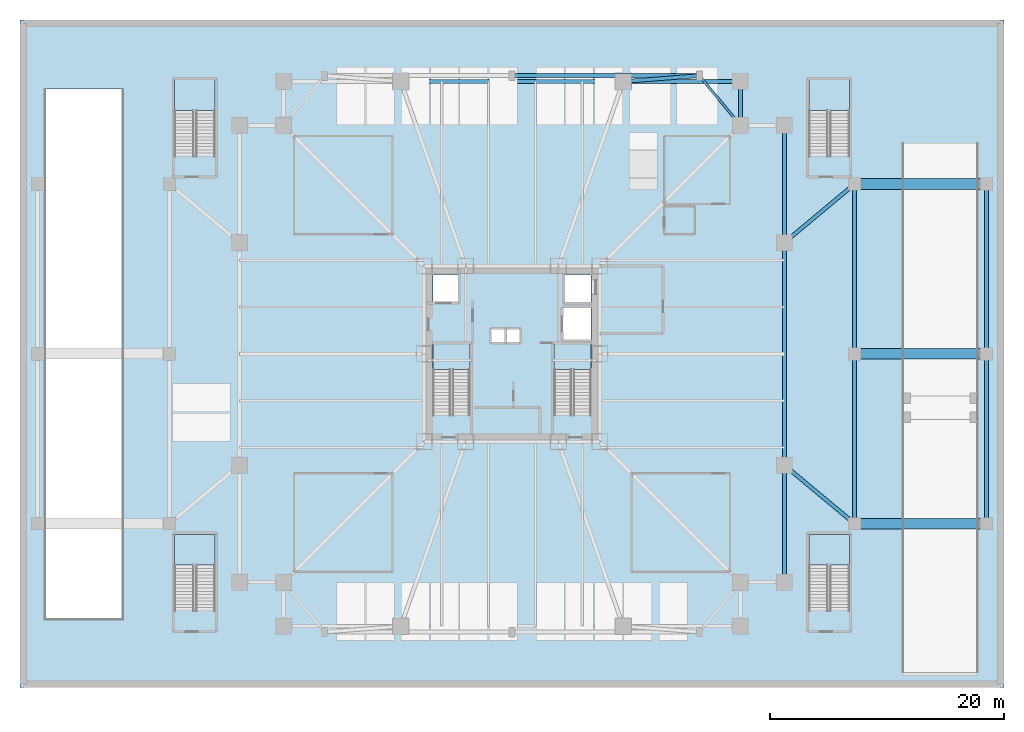
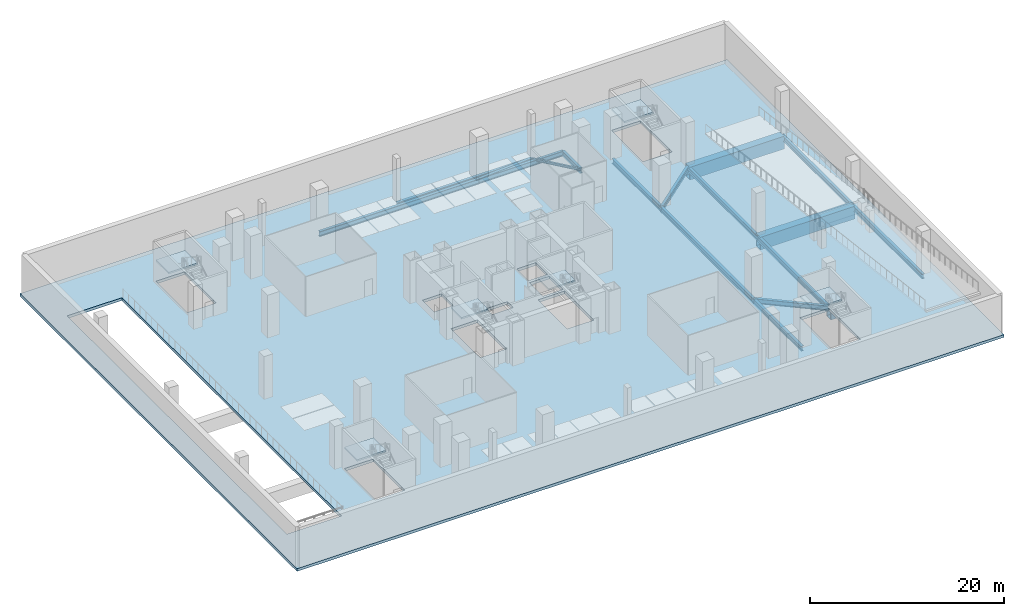
# One storey, part 2 of 14: 18 beams, 7 slabs, 6 elements without a shape of their own.
"""IFC4 building model written with IfcOpenShell, lengths in metres."""

from ifc_helpers import new_model, si_unit, direction, frame, origin, origin_2d, place, context, subcontext, project, spatial, polyline, hollow_rectangle, i_section, outline, extrude, material, layer, layer_set, material_profile, profile_set, type_object, element, aggregate, save


model = new_model("IFC4")

# Units and contexts
model_context = context("Model", 3, precision=1e-05, world=origin(), true_north=direction((0.0, 1.0)))
body_context = subcontext(model_context, "Body", "Model", "MODEL_VIEW")
ifc_project = project(units=[si_unit("LENGTHUNIT", "METRE"), si_unit("AREAUNIT", "SQUARE_METRE"), si_unit("VOLUMEUNIT", "CUBIC_METRE"), si_unit("PLANEANGLEUNIT", "RADIAN"), si_unit("MASSUNIT", "GRAM", prefix="KILO")], contexts=[model_context])

# Site, building, storey
site_placement = place(None, origin())
site = spatial("IfcSite", under=ifc_project, at=site_placement, CompositionType="ELEMENT")
building_placement = place(site_placement, origin())
building = spatial("IfcBuilding", under=site, at=building_placement, Name="Trevonay Congress Spire", CompositionType="ELEMENT")
storey_placement = place(building_placement, frame((0.0, 0.0, -5.39990234375)))
storey = spatial("IfcBuildingStorey", under=building, at=storey_placement, Name="B1", CompositionType="ELEMENT", Elevation=-5.39990234375)

# Beams
ifc_material_1 = material(Name="Steel ASTM A572 Grade 50", Category="steel")
ifc_material_profile_1 = material_profile(ifc_material_1, i_section(OverallWidth=0.324951171875, OverallDepth=0.615966796875, WebThickness=0.013916015625, FlangeThickness=0.021484375, FilletRadius=0.01806640625, at=origin_2d()), Name="W610x174")
ifc_profile_set_1 = profile_set([ifc_material_profile_1], Name="Steel ASTM A572 Grade 50")
beam_type_1 = type_object("IfcBeamType", Name="BM-GIRD-W610X174", PredefinedType="BEAM", material=ifc_profile_set_1)
beam_1_placement = place(storey_placement, frame((9.5, 23.25, -0.658203125), z_axis=(1.0, 0.0, 0.0), x_axis=(0.0, 1.0, 0.0)))
element("IfcBeam", 1, at=beam_1_placement, inside=storey, type_object=beam_type_1, Name="B1 structural beam BM-B1-MN3", PredefinedType="BEAM", context=body_context, shape_type="SweptSolid", body=[
    extrude(i_section(OverallWidth=0.324951171875, OverallDepth=0.615966796875, WebThickness=0.013916015625, FlangeThickness=0.021484375, FilletRadius=0.01806640625, at=origin_2d()), origin(), (0.0, 0.0, 1.0), 10.0),
])
beam_2_placement = place(storey_placement, frame((19.5, 23.25, -0.658203125), z_axis=(0.0, -1.0, 0.0), x_axis=(1.0, 0.0, 0.0)))
element("IfcBeam", 2, at=beam_2_placement, inside=storey, type_object=beam_type_1, Name="B1 structural beam BM-B1-CNE", PredefinedType="BEAM", context=body_context, shape_type="SweptSolid", body=[
    extrude(i_section(OverallWidth=0.324951171875, OverallDepth=0.615966796875, WebThickness=0.013916015625, FlangeThickness=0.021484375, FilletRadius=0.01806640625, at=origin_2d()), origin(), (0.0, 0.0, 1.0), 3.75),
])
for number, where, z_axis, x_axis, name in (
    (3, (23.25, -19.5, -0.658203125), (0.0, 1.0, 0.0), (-1.0, 0.0, 0.0), "B1 structural beam BM-B1-ME1"),
    (4, (23.25, 9.5, -0.658203125), (0.0, 1.0, 0.0), (-1.0, 0.0, 0.0), "B1 structural beam BM-B1-ME3"),
):
    element("IfcBeam", number, at=place(storey_placement, frame(where, z_axis=z_axis, x_axis=x_axis)), inside=storey, type_object=beam_type_1, Name=name, PredefinedType="BEAM", context=body_context, shape_type="SweptSolid", body=[
        extrude(i_section(OverallWidth=0.324951171875, OverallDepth=0.615966796875, WebThickness=0.013916015625, FlangeThickness=0.021484375, FilletRadius=0.01806640625, at=origin_2d()), origin(), (0.0, 0.0, 1.0), 10.0),
    ])
for number, where, z_axis, x_axis, name in (
    (5, (29.25, -14.5, -0.658203125), (0.0, 1.0, 0.0), (-1.0, 0.0, 0.0), "B1 structural beam BM-B1-POD-EL"),
    (6, (29.25, 0.0, -0.658203125), (0.0, 1.0, 0.0), (-1.0, 0.0, 0.0), "B1 structural beam BM-B1-POD-EH"),
):
    element("IfcBeam", number, at=place(storey_placement, frame(where, z_axis=z_axis, x_axis=x_axis)), inside=storey, type_object=beam_type_1, Name=name, PredefinedType="BEAM", context=body_context, shape_type="SweptSolid", body=[
        extrude(i_section(OverallWidth=0.324951171875, OverallDepth=0.615966796875, WebThickness=0.013916015625, FlangeThickness=0.021484375, FilletRadius=0.01806640625, at=origin_2d()), origin(), (0.0, 0.0, 1.0), 14.5),
    ])
for number, where, z_axis, x_axis, name in (
    (7, (23.25, -9.5, -0.658203125), (0.768221279597, -0.640184399664, 0.0), (0.640184399664, 0.768221279597, 0.0), "B1 structural beam BM-B1-POD-ET1"),
    (8, (23.25, 9.5, -0.658203125), (0.768221279597, 0.640184399664, 0.0), (-0.640184399664, 0.768221279597, 0.0), "B1 structural beam BM-B1-POD-ET2"),
):
    element("IfcBeam", number, at=place(storey_placement, frame(where, z_axis=z_axis, x_axis=x_axis)), inside=storey, type_object=beam_type_1, Name=name, PredefinedType="BEAM", context=body_context, shape_type="SweptSolid", body=[
        extrude(i_section(OverallWidth=0.324951171875, OverallDepth=0.615966796875, WebThickness=0.013916015625, FlangeThickness=0.021484375, FilletRadius=0.01806640625, at=origin_2d()), origin(), (0.0, 0.0, 1.0), 7.810302734375),
    ])
beam_3_placement = place(storey_placement, frame((0.0, 23.75, -0.658203125), z_axis=(1.0, 0.0, 0.0), x_axis=(0.0, 1.0, 0.0)))
element("IfcBeam", 9, at=beam_3_placement, inside=storey, type_object=beam_type_1, Name="B1 structural beam BM-B1-PIL-N2", PredefinedType="BEAM", context=body_context, shape_type="SweptSolid", body=[
    extrude(i_section(OverallWidth=0.324951171875, OverallDepth=0.615966796875, WebThickness=0.013916015625, FlangeThickness=0.021484375, FilletRadius=0.01806640625, at=origin_2d()), origin(), (0.0, 0.0, 1.0), 16.0),
])
beam_4_placement = place(storey_placement, frame((9.5, 23.25, -0.658203125), z_axis=(0.997054485502, 0.076696498885, 0.0), x_axis=(-0.076696498885, 0.997054485502, 0.0)))
element("IfcBeam", 10, at=beam_4_placement, inside=storey, type_object=beam_type_1, Name="B1 structural beam BM-B1-PIL-TN2", PredefinedType="BEAM", context=body_context, shape_type="SweptSolid", body=[
    extrude(i_section(OverallWidth=0.324951171875, OverallDepth=0.615966796875, WebThickness=0.013916015625, FlangeThickness=0.021484375, FilletRadius=0.01806640625, at=origin_2d()), origin(), (0.0, 0.0, 1.0), 6.519287109375),
])
for number, where, z_axis, x_axis, name in (
    (11, (40.5, -14.5, -0.658203125), (0.0, 1.0, 0.0), (-1.0, 0.0, 0.0), "B1 structural beam BM-B1-EXEL1"),
    (12, (40.5, 0.0, -0.658203125), (0.0, 1.0, 0.0), (-1.0, 0.0, 0.0), "B1 structural beam BM-B1-EXEL2"),
):
    element("IfcBeam", number, at=place(storey_placement, frame(where, z_axis=z_axis, x_axis=x_axis)), inside=storey, type_object=beam_type_1, Name=name, PredefinedType="BEAM", context=body_context, shape_type="SweptSolid", body=[
        extrude(i_section(OverallWidth=0.324951171875, OverallDepth=0.615966796875, WebThickness=0.013916015625, FlangeThickness=0.021484375, FilletRadius=0.01806640625, at=origin_2d()), origin(), (0.0, 0.0, 1.0), 14.5),
    ])
ifc_material_profile_2 = material_profile(ifc_material_1, i_section(OverallWidth=0.3291015625, OverallDepth=0.635009765625, WebThickness=0.017822265625, FlangeThickness=0.031005859375, FilletRadius=0.01806640625, at=origin_2d()), Name="W610x241")
ifc_profile_set_2 = profile_set([ifc_material_profile_2], Name="Steel ASTM A572 Grade 50")
beam_type_2 = type_object("IfcBeamType", Name="BM-GIRD-W610X241", PredefinedType="BEAM", material=ifc_profile_set_2)
for number, where, z_axis, x_axis, name in (
    (13, (-9.5, 23.25, -0.66748046875), (1.0, 0.0, 0.0), (0.0, 1.0, 0.0), "B1 structural beam BM-B1-MN2"),
    (14, (23.25, -9.5, -0.66748046875), (0.0, 1.0, 0.0), (-1.0, 0.0, 0.0), "B1 structural beam BM-B1-ME2"),
):
    element("IfcBeam", number, at=place(storey_placement, frame(where, z_axis=z_axis, x_axis=x_axis)), inside=storey, type_object=beam_type_2, Name=name, PredefinedType="BEAM", context=body_context, shape_type="SweptSolid", body=[
        extrude(i_section(OverallWidth=0.3291015625, OverallDepth=0.635009765625, WebThickness=0.017822265625, FlangeThickness=0.031005859375, FilletRadius=0.01806640625, at=origin_2d()), origin(), (0.0, 0.0, 1.0), 19.0),
    ])
ifc_material_profile_3 = material_profile(ifc_material_1, hollow_rectangle(XDim=0.89990234375, YDim=1.60009765625, WallThickness=0.06005859375, at=origin_2d()), Name="BOX 1600x900x60")
ifc_profile_set_3 = profile_set([ifc_material_profile_3], Name="Steel ASTM A572 Grade 50")
beam_type_3 = type_object("IfcBeamType", Name="BM-XFER-BOX1600", PredefinedType="BEAM", material=ifc_profile_set_3)
for number, where, z_axis, x_axis, name in (
    (15, (29.25, -14.5, -1.150146484375), (1.0, 0.0, 0.0), (0.0, 1.0, 0.0), "B1 structural beam BM-B1-EXE-S"),
    (16, (29.25, 0.0, -1.150146484375), (1.0, 0.0, 0.0), (0.0, 1.0, 0.0), "B1 structural beam BM-B1-EXE-C"),
    (17, (29.25, 14.5, -1.150146484375), (1.0, 0.0, 0.0), (0.0, 1.0, 0.0), "B1 structural beam BM-B1-EXE-N"),
):
    element("IfcBeam", number, at=place(storey_placement, frame(where, z_axis=z_axis, x_axis=x_axis)), inside=storey, type_object=beam_type_3, Name=name, PredefinedType="BEAM", context=body_context, shape_type="SweptSolid", body=[
        extrude(hollow_rectangle(XDim=0.89990234375, YDim=1.60009765625, WallThickness=0.06005859375, at=origin_2d()), origin(), (0.0, 0.0, 1.0), 11.25),
    ])
ifc_material_profile_4 = material_profile(ifc_material_1, i_section(OverallWidth=0.2041015625, OverallDepth=0.305908203125, WebThickness=0.008544921875, FlangeThickness=0.0146484375, FilletRadius=0.010986328125, at=origin_2d()), Name="W310x67")
ifc_profile_set_4 = profile_set([ifc_material_profile_4], Name="Steel ASTM A572 Grade 50")
beam_type_4 = type_object("IfcBeamType", Name="SPB-W310X67", PredefinedType="SPANDREL", material=ifc_profile_set_4)
beam_5_placement = place(storey_placement, frame((16.0, 23.75, -0.503173828125), z_axis=(0.635707252861, -0.771930235617, 0.0), x_axis=(0.771930235617, 0.635707252861, 0.0)))
element("IfcBeam", 18, at=beam_5_placement, inside=storey, type_object=beam_type_4, Name="B1 structural beam SPB-B1-NE", PredefinedType="SPANDREL", context=body_context, shape_type="SweptSolid", body=[
    extrude(i_section(OverallWidth=0.2041015625, OverallDepth=0.305908203125, WebThickness=0.008544921875, FlangeThickness=0.0146484375, FilletRadius=0.010986328125, at=origin_2d()), origin(), (0.0, 0.0, 1.0), 5.505615234375),
])

# Slab
ifc_material_2 = material(Name="Concrete C40/50", Category="concrete")
ifc_layer_1 = layer(ifc_material_2, 0.35009765625, Name="Concrete C40/50")
ifc_layer_set_1 = layer_set([ifc_layer_1], Name="Concrete C40/50")
slab_type_1 = type_object("IfcSlabType", Name="SLB-POD-350", PredefinedType="FLOOR", material=ifc_layer_set_1)
slab_1_placement = place(storey_placement, frame((0.0, 0.0, -0.35009765625)))
element("IfcSlab", 19, at=slab_1_placement, inside=storey, type_object=slab_type_1, Name="B1 structural floor slab", PredefinedType="FLOOR", context=body_context, shape_type="SweptSolid", body=[
    extrude(outline(polyline([(-42.0, -28.5), (42.0, -28.5), (42.0, 28.5), (-42.0, 28.5), (-42.0, -28.5)]), holes=[polyline([(-3.60009765625, -5.14990234375), (-3.60009765625, 0.85009765625), (-6.75, 0.85009765625), (-6.75, -5.14990234375), (-3.60009765625, -5.14990234375)]), polyline([(6.75, -5.14990234375), (6.75, 0.85009765625), (3.60009765625, 0.85009765625), (3.60009765625, -5.14990234375), (6.75, -5.14990234375)]), polyline([(-25.35009765625, -21.85009765625), (-25.35009765625, -15.39990234375), (-28.800048828125, -15.39990234375), (-28.800048828125, -21.85009765625), (-25.35009765625, -21.85009765625)]), polyline([(28.800048828125, -21.85009765625), (28.800048828125, -15.39990234375), (25.35009765625, -15.39990234375), (25.35009765625, -21.85009765625), (28.800048828125, -21.85009765625)]), polyline([(-25.35009765625, 16.949951171875), (-25.35009765625, 23.39990234375), (-28.800048828125, 23.39990234375), (-28.800048828125, 16.949951171875), (-25.35009765625, 16.949951171875)]), polyline([(28.800048828125, 16.949951171875), (28.800048828125, 23.39990234375), (25.35009765625, 23.39990234375), (25.35009765625, 16.949951171875), (28.800048828125, 16.949951171875)]), polyline([(-6.75, 4.35009765625), (-4.449951171875, 4.35009765625), (-4.449951171875, 6.75), (-6.75, 6.75), (-6.75, 4.35009765625)]), polyline([(4.449951171875, 4.35009765625), (6.75, 4.35009765625), (6.75, 6.75), (4.449951171875, 6.75), (4.449951171875, 4.35009765625)]), polyline([(4.35009765625, 1.199951171875), (6.75, 1.199951171875), (6.75, 3.949951171875), (4.35009765625, 3.949951171875), (4.35009765625, 1.199951171875)]), polyline([(-1.800048828125, 0.949951171875), (0.699951171875, 0.949951171875), (0.699951171875, 2.14990234375), (-1.800048828125, 2.14990234375), (-1.800048828125, 0.949951171875)]), polyline([(-39.800048828125, -22.60009765625), (-33.300048828125, -22.60009765625), (-33.300048828125, 22.60009765625), (-39.800048828125, 22.60009765625), (-39.800048828125, -22.60009765625)])]), origin(), (0.0, 0.0, 1.0), 0.35009765625),
])

# Stair, slab
stair_type_1 = type_object("IfcStairType", Name="STR-ST-1", PredefinedType="HALF_TURN_STAIR", material=ifc_material_2)
stair_1_placement = place(storey_placement, origin())
stair_1 = element("IfcStair", 20, at=stair_1_placement, inside=storey, type_object=stair_type_1, Name="B1 Protected Exit Stair ST-1", PredefinedType="HALF_TURN_STAIR")
ifc_layer_2 = layer(ifc_material_2, 0.199951171875, Name="Concrete C40/50")
ifc_layer_set_2 = layer_set([ifc_layer_2], Name="Concrete C40/50")
slab_type_2 = type_object("IfcSlabType", Name="SLB-STAIR-LAND-200", PredefinedType="LANDING", material=ifc_layer_set_2)
slab_2_placement = place(storey_placement, frame((0.0, 0.0, 2.5)))
slab_2 = element("IfcSlab", 21, at=slab_2_placement, type_object=slab_type_2, Name="ST-1 landing 1", PredefinedType="LANDING", context=body_context, shape_type="SweptSolid", body=[
    extrude(outline(polyline([(-3.60009765625, -1.330078125), (-3.60009765625, 0.85009765625), (-6.75, 0.85009765625), (-6.75, -1.330078125), (-3.60009765625, -1.330078125)])), origin(), (0.0, 0.0, 1.0), 0.199951171875),
])
aggregate(stair_1, [slab_2])

stair_type_2 = type_object("IfcStairType", Name="STR-ST-2", PredefinedType="HALF_TURN_STAIR", material=ifc_material_2)
stair_2_placement = place(storey_placement, origin())
stair_2 = element("IfcStair", 22, at=stair_2_placement, inside=storey, type_object=stair_type_2, Name="B1 Protected Exit Stair ST-2", PredefinedType="HALF_TURN_STAIR")
slab_3_placement = place(storey_placement, frame((0.0, 0.0, 2.5)))
slab_3 = element("IfcSlab", 23, at=slab_3_placement, type_object=slab_type_2, Name="ST-2 landing 1", PredefinedType="LANDING", context=body_context, shape_type="SweptSolid", body=[
    extrude(outline(polyline([(6.75, -1.330078125), (6.75, 0.85009765625), (3.60009765625, 0.85009765625), (3.60009765625, -1.330078125), (6.75, -1.330078125)])), origin(), (0.0, 0.0, 1.0), 0.199951171875),
])
aggregate(stair_2, [slab_3])

stair_type_3 = type_object("IfcStairType", Name="STR-ST-3", PredefinedType="HALF_TURN_STAIR", material=ifc_material_2)
stair_3_placement = place(storey_placement, origin())
stair_3 = element("IfcStair", 24, at=stair_3_placement, inside=storey, type_object=stair_type_3, Name="B1 Protected Exit Stair ST-3", PredefinedType="HALF_TURN_STAIR")
slab_4_placement = place(storey_placement, frame((0.0, 0.0, 2.5)))
slab_4 = element("IfcSlab", 25, at=slab_4_placement, type_object=slab_type_2, Name="ST-3 landing 1", PredefinedType="LANDING", context=body_context, shape_type="SweptSolid", body=[
    extrude(outline(polyline([(-25.35009765625, -18.030029296875), (-25.35009765625, -15.39990234375), (-28.800048828125, -15.39990234375), (-28.800048828125, -18.030029296875), (-25.35009765625, -18.030029296875)])), origin(), (0.0, 0.0, 1.0), 0.199951171875),
])
aggregate(stair_3, [slab_4])

stair_type_4 = type_object("IfcStairType", Name="STR-ST-4", PredefinedType="HALF_TURN_STAIR", material=ifc_material_2)
stair_4_placement = place(storey_placement, origin())
stair_4 = element("IfcStair", 26, at=stair_4_placement, inside=storey, type_object=stair_type_4, Name="B1 Protected Exit Stair ST-4", PredefinedType="HALF_TURN_STAIR")
slab_5_placement = place(storey_placement, frame((0.0, 0.0, 2.5)))
slab_5 = element("IfcSlab", 27, at=slab_5_placement, type_object=slab_type_2, Name="ST-4 landing 1", PredefinedType="LANDING", context=body_context, shape_type="SweptSolid", body=[
    extrude(outline(polyline([(28.800048828125, -18.030029296875), (28.800048828125, -15.39990234375), (25.35009765625, -15.39990234375), (25.35009765625, -18.030029296875), (28.800048828125, -18.030029296875)])), origin(), (0.0, 0.0, 1.0), 0.199951171875),
])
aggregate(stair_4, [slab_5])

stair_type_5 = type_object("IfcStairType", Name="STR-ST-5", PredefinedType="HALF_TURN_STAIR", material=ifc_material_2)
stair_5_placement = place(storey_placement, origin())
stair_5 = element("IfcStair", 28, at=stair_5_placement, inside=storey, type_object=stair_type_5, Name="B1 Protected Exit Stair ST-5", PredefinedType="HALF_TURN_STAIR")
slab_6_placement = place(storey_placement, frame((0.0, 0.0, 2.5)))
slab_6 = element("IfcSlab", 29, at=slab_6_placement, type_object=slab_type_2, Name="ST-5 landing 1", PredefinedType="LANDING", context=body_context, shape_type="SweptSolid", body=[
    extrude(outline(polyline([(-25.35009765625, 20.77001953125), (-25.35009765625, 23.39990234375), (-28.800048828125, 23.39990234375), (-28.800048828125, 20.77001953125), (-25.35009765625, 20.77001953125)])), origin(), (0.0, 0.0, 1.0), 0.199951171875),
])
aggregate(stair_5, [slab_6])

stair_type_6 = type_object("IfcStairType", Name="STR-ST-6", PredefinedType="HALF_TURN_STAIR", material=ifc_material_2)
stair_6_placement = place(storey_placement, origin())
stair_6 = element("IfcStair", 30, at=stair_6_placement, inside=storey, type_object=stair_type_6, Name="B1 Protected Exit Stair ST-6", PredefinedType="HALF_TURN_STAIR")
slab_7_placement = place(storey_placement, frame((0.0, 0.0, 2.5)))
slab_7 = element("IfcSlab", 31, at=slab_7_placement, type_object=slab_type_2, Name="ST-6 landing 1", PredefinedType="LANDING", context=body_context, shape_type="SweptSolid", body=[
    extrude(outline(polyline([(28.800048828125, 20.77001953125), (28.800048828125, 23.39990234375), (25.35009765625, 23.39990234375), (25.35009765625, 20.77001953125), (28.800048828125, 20.77001953125)])), origin(), (0.0, 0.0, 1.0), 0.199951171875),
])
aggregate(stair_6, [slab_7])

save(model, "model.ifc")
